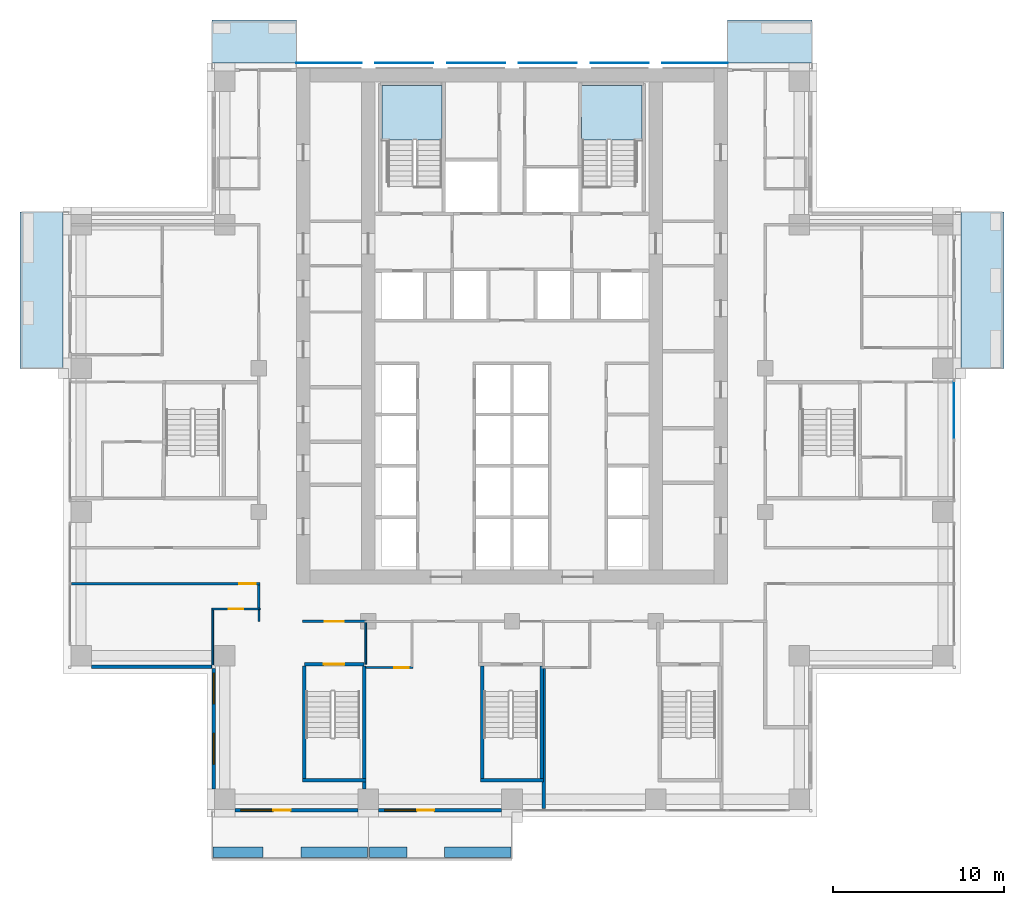
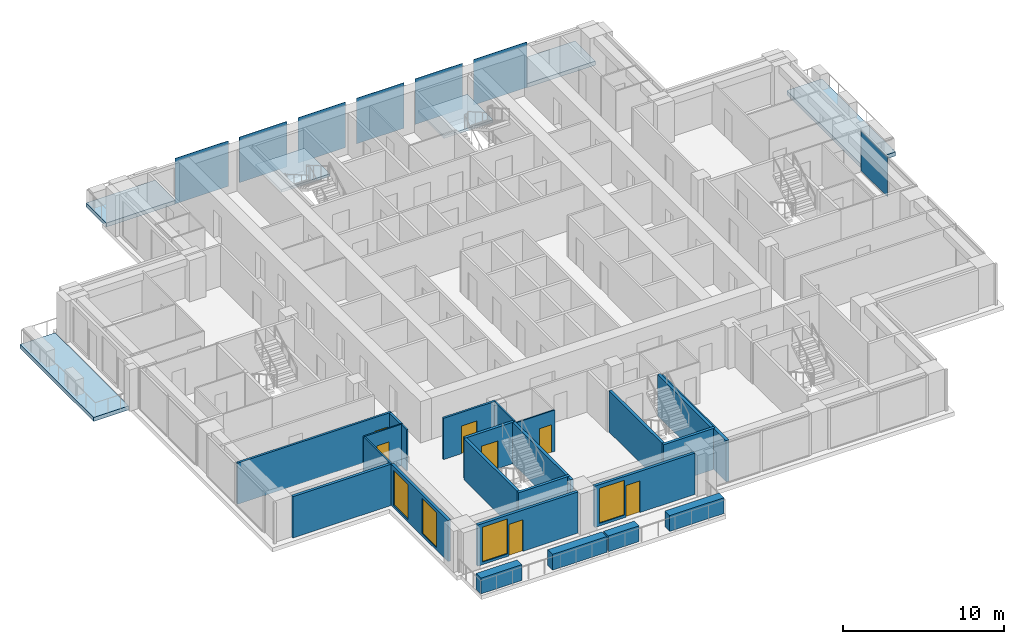
# One storey, part 6 of 16: 24 walls, 7 doors, 7 plates, 6 slabs, 4 windows, 11 openings, 3 elements without a shape of their own.
"""IFC4 building model written with IfcOpenShell, lengths in metres."""

from ifc_helpers import new_model, si_unit, direction, frame, frame_2d, origin, origin_2d, place, context, subcontext, project, spatial, polyline, rectangle, outline, extrude, material, layer, layer_set, type_object, element, fill, aggregate, save


model = new_model("IFC4")

# Units and contexts
model_context = context("Model", 3, precision=1e-05, world=origin(), true_north=direction((0.0, 1.0)))
body_context = subcontext(model_context, "Body", "Model", "MODEL_VIEW")
ifc_project = project(units=[si_unit("LENGTHUNIT", "METRE"), si_unit("AREAUNIT", "SQUARE_METRE"), si_unit("VOLUMEUNIT", "CUBIC_METRE"), si_unit("PLANEANGLEUNIT", "RADIAN"), si_unit("MASSUNIT", "GRAM", prefix="KILO")], contexts=[model_context])

# Site, building, storey
site_placement = place(None, origin())
site = spatial("IfcSite", under=ifc_project, at=site_placement, CompositionType="ELEMENT")
building_placement = place(site_placement, origin())
building = spatial("IfcBuilding", under=site, at=building_placement, Name="Vermilion Ogive Tower", CompositionType="ELEMENT")
storey_placement = place(building_placement, frame((0.0, 0.0, 114.89990234375)))
storey = spatial("IfcBuildingStorey", under=building, at=storey_placement, Name="L29", CompositionType="ELEMENT", Elevation=114.89990234375)

# Slabs
ifc_material_1 = material(Name="Concrete B40", Category="concrete")
ifc_layer_1 = layer(ifc_material_1, 0.300048828125)
ifc_layer_set_1 = layer_set([ifc_layer_1], Name="Balcony slab")
slab_type_1 = type_object("IfcSlabType", Name="Balcony slab", PredefinedType="FLOOR", material=ifc_layer_set_1)
slab_1_placement = place(storey_placement, frame((0.0, 0.0, -0.33984375)))
element("IfcSlab", 1, at=slab_1_placement, inside=storey, type_object=slab_type_1, Name="Balcony slab E03", PredefinedType="FLOOR", context=body_context, shape_type="SweptSolid", body=[
    extrude(outline(polyline([(28.77392578125, 4.199951171875), (28.77392578125, 13.35009765625), (26.25, 13.35009765625), (26.25, 4.199951171875), (28.77392578125, 4.199951171875)])), origin(), (0.0, 0.0, 1.0), 0.300048828125),
])
slab_2_placement = place(storey_placement, frame((0.0, 0.0, -0.33984375)))
element("IfcSlab", 2, at=slab_2_placement, inside=storey, type_object=slab_type_1, Name="Balcony slab N101", PredefinedType="FLOOR", context=body_context, shape_type="SweptSolid", body=[
    extrude(outline(polyline([(17.550048828125, 24.573974609375), (12.60009765625, 24.573974609375), (12.60009765625, 22.050048828125), (17.550048828125, 22.050048828125), (17.550048828125, 24.573974609375)])), origin(), (0.0, 0.0, 1.0), 0.300048828125),
])
slab_3_placement = place(storey_placement, frame((0.0, 0.0, -0.33984375)))
element("IfcSlab", 3, at=slab_3_placement, inside=storey, type_object=slab_type_1, Name="Balcony slab N201", PredefinedType="FLOOR", context=body_context, shape_type="SweptSolid", body=[
    extrude(outline(polyline([(-12.60009765625, 24.573974609375), (-17.550048828125, 24.573974609375), (-17.550048828125, 22.050048828125), (-12.60009765625, 22.050048828125), (-12.60009765625, 24.573974609375)])), origin(), (0.0, 0.0, 1.0), 0.300048828125),
])
slab_4_placement = place(storey_placement, frame((0.0, 0.0, -0.33984375)))
element("IfcSlab", 4, at=slab_4_placement, inside=storey, type_object=slab_type_1, Name="Balcony slab W01", PredefinedType="FLOOR", context=body_context, shape_type="SweptSolid", body=[
    extrude(outline(polyline([(-28.77392578125, 13.35009765625), (-28.77392578125, 4.199951171875), (-26.25, 4.199951171875), (-26.25, 13.35009765625), (-28.77392578125, 13.35009765625)])), origin(), (0.0, 0.0, 1.0), 0.300048828125),
])

# Curtain wall, plate
ifc_material_2 = material(Name="Low-iron laminated glazing in aluminium frame", Category="aluminium")
curtain_wall_type = type_object("IfcCurtainWallType", Name="Curtain wall CW7", PredefinedType="NOTDEFINED", material=ifc_material_2)
curtain_wall_placement = place(storey_placement, origin())
curtain_wall = element("IfcCurtainWall", 5, at=curtain_wall_placement, inside=storey, type_object=curtain_wall_type, Name="Glazed skin E2", PredefinedType="NOTDEFINED")
ifc_material_3 = material(Name="Low-iron laminated glazing in aluminium frame", Category="aluminium")
ifc_layer_2 = layer(ifc_material_3, 0.031982421875)
ifc_layer_set_2 = layer_set([ifc_layer_2], Name="CW7 glazing panel 32")
plate_type_1 = type_object("IfcPlateType", Name="CW7 glazing panel 32", PredefinedType="CURTAIN_PANEL", material=ifc_layer_set_2)
plate_1_placement = place(storey_placement, frame((25.85009765625, 1.7548828125, 0.06005859375), z_axis=(0.0, 0.0, 1.0), x_axis=(0.0, 1.0, 0.0)))
plate_1 = element("IfcPlate", 6, at=plate_1_placement, type_object=plate_type_1, Name="CW7-E2 panel 2.1", PredefinedType="CURTAIN_PANEL", context=body_context, shape_type="SweptSolid", body=[
    extrude(rectangle(XDim=3.330078125, YDim=0.031982421875, at=origin_2d()), origin(), (0.0, 0.0, 1.0), 3.010009765625),
])
aggregate(curtain_wall, [plate_1])

# Plates
ifc_material_4 = material(Name="Low-iron laminated glazing in aluminium frame", Category="aluminium")
ifc_layer_3 = layer(ifc_material_4, 0.031982421875)
ifc_layer_set_3 = layer_set([ifc_layer_3], Name="Glazed rainscreen sheet 32")
plate_type_2 = type_object("IfcPlateType", Name="Glazed rainscreen sheet 32", PredefinedType="SHEET", material=ifc_layer_set_3)
plate_2_placement = place(storey_placement, frame((-10.7099609375, 22.06591796875, -0.31982421875), z_axis=(0.0, 0.0, 1.0), x_axis=(1.0, 0.0, 0.0)))
element("IfcPlate", 7, at=plate_2_placement, inside=storey, type_object=plate_type_2, Name="Glazed rainscreen sheet N1", PredefinedType="SHEET", context=body_context, shape_type="SweptSolid", body=[
    extrude(rectangle(XDim=3.820068359375, YDim=0.031982421875, at=origin_2d()), origin(), (0.0, 0.0, 1.0), 3.449951171875),
])
for number, where, z_axis, x_axis, name in (
    (8, (-6.300048828125, 22.06591796875, -0.31982421875), (0.0, 0.0, 1.0), (1.0, 0.0, 0.0), "Glazed rainscreen sheet N2"),
    (9, (-2.10009765625, 22.06591796875, -0.31982421875), (0.0, 0.0, 1.0), (1.0, 0.0, 0.0), "Glazed rainscreen sheet N3"),
    (10, (2.10009765625, 22.06591796875, -0.31982421875), (0.0, 0.0, 1.0), (1.0, 0.0, 0.0), "Glazed rainscreen sheet N4"),
    (11, (6.300048828125, 22.06591796875, -0.31982421875), (0.0, 0.0, 1.0), (1.0, 0.0, 0.0), "Glazed rainscreen sheet N5"),
):
    element("IfcPlate", number, at=place(storey_placement, frame(where, z_axis=z_axis, x_axis=x_axis)), inside=storey, type_object=plate_type_2, Name=name, PredefinedType="SHEET", context=body_context, shape_type="SweptSolid", body=[
        extrude(rectangle(XDim=3.39990234375, YDim=0.031982421875, at=origin_2d()), origin(), (0.0, 0.0, 1.0), 3.449951171875),
    ])
plate_3_placement = place(storey_placement, frame((10.7099609375, 22.06591796875, -0.31982421875), z_axis=(0.0, 0.0, 1.0), x_axis=(1.0, 0.0, 0.0)))
element("IfcPlate", 12, at=plate_3_placement, inside=storey, type_object=plate_type_2, Name="Glazed rainscreen sheet N6", PredefinedType="SHEET", context=body_context, shape_type="SweptSolid", body=[
    extrude(rectangle(XDim=3.820068359375, YDim=0.031982421875, at=origin_2d()), origin(), (0.0, 0.0, 1.0), 3.449951171875),
])

# Stair, slab
ifc_material_5 = material(Name="Concrete B40", Category="concrete")
stair_type = type_object("IfcStairType", Name="Exit stair 1500", PredefinedType="HALF_TURN_STAIR", material=ifc_material_5)
stair_1_placement = place(storey_placement, origin())
stair_1 = element("IfcStair", 13, at=stair_1_placement, inside=storey, type_object=stair_type, Name="L29 Exit Stair ST1", PredefinedType="HALF_TURN_STAIR")
ifc_material_6 = material(Name="Concrete B40", Category="concrete")
ifc_layer_4 = layer(ifc_material_6, 0.199951171875)
ifc_layer_set_4 = layer_set([ifc_layer_4], Name="Stair landing 200")
slab_type_2 = type_object("IfcSlabType", Name="Stair landing 200", PredefinedType="LANDING", material=ifc_layer_set_4)
slab_5_placement = place(storey_placement, frame((0.0, 0.0, 1.525146484375)))
slab_5 = element("IfcSlab", 14, at=slab_5_placement, type_object=slab_type_2, Name="ST1 landing 1", PredefinedType="LANDING", context=body_context, shape_type="SweptSolid", body=[
    extrude(outline(polyline([(-7.60009765625, 17.550048828125), (-7.25, 17.550048828125), (-7.25, 17.548095703125), (-5.75, 17.548095703125), (-5.75, 17.550048828125), (-5.60009765625, 17.550048828125), (-5.60009765625, 17.548095703125), (-4.10009765625, 17.548095703125), (-4.10009765625, 20.75), (-7.60009765625, 20.75), (-7.60009765625, 17.550048828125)])), origin(), (0.0, 0.0, 1.0), 0.199951171875),
])
aggregate(stair_1, [slab_5])

stair_2_placement = place(storey_placement, origin())
stair_2 = element("IfcStair", 15, at=stair_2_placement, inside=storey, type_object=stair_type, Name="L29 Exit Stair ST2", PredefinedType="HALF_TURN_STAIR")
slab_6_placement = place(storey_placement, frame((0.0, 0.0, 1.525146484375)))
slab_6 = element("IfcSlab", 16, at=slab_6_placement, type_object=slab_type_2, Name="ST2 landing 1", PredefinedType="LANDING", context=body_context, shape_type="SweptSolid", body=[
    extrude(outline(polyline([(5.60009765625, 17.550048828125), (5.75, 17.550048828125), (5.75, 17.548095703125), (7.25, 17.548095703125), (7.25, 17.550048828125), (7.60009765625, 17.550048828125), (7.60009765625, 20.75), (4.074951171875, 20.75), (4.074951171875, 17.550048828125), (4.10009765625, 17.550048828125), (4.10009765625, 17.548095703125), (5.60009765625, 17.548095703125), (5.60009765625, 17.550048828125)])), origin(), (0.0, 0.0, 1.0), 0.199951171875),
])
aggregate(stair_2, [slab_6])

# Wall, opening, door
ifc_material_7 = material(Name="Gypsum board partition on steel studs", Category="steel")
ifc_layer_5 = layer(ifc_material_7, 0.10009765625)
ifc_layer_set_5 = layer_set([ifc_layer_5], Name="Partition 100 bath")
wall_type_1 = type_object("IfcWallType", Name="Partition 100 bath", PredefinedType="PARTITIONING", material=ifc_layer_set_5)
wall_1_placement = place(storey_placement, frame((-8.550048828125, -13.300048828125, 0.0), z_axis=(0.0, 0.0, 1.0), x_axis=(1.0, 0.0, 0.0)))
wall_1 = element("IfcWall", 17, at=wall_1_placement, inside=storey, type_object=wall_type_1, Name="L29-W-W004", PredefinedType="PARTITIONING", context=body_context, shape_type="SweptSolid", body=[
    extrude(rectangle(XDim=2.748046875, YDim=0.10009765625, at=frame_2d((1.3740234375, 0.0))), origin(), (0.0, 0.0, 1.0), 3.130126953125),
])
opening_1_placement = place(wall_1_placement, frame((1.650146484375, 0.0, 0.0)))
opening_1 = element("IfcOpeningElement", 18, at=opening_1_placement, cuts=wall_1, Name="Opening D2G5011", PredefinedType="OPENING", context=body_context, shape_type="SweptSolid", body=[
    extrude(rectangle(XDim=0.85009765625, YDim=2.10009765625, at=frame_2d((0.425048828125, 1.050048828125))), frame((0.0, 0.06005859375, 0.0), z_axis=(0.0, -1.0, 0.0), x_axis=(1.0, 0.0, 0.0)), (0.0, 0.0, 1.0), 0.1201171875),
])
ifc_material_8 = material(Name="Timber door leaf", Category="wood")
door_type_1 = type_object("IfcDoorType", Name="Bath door 850 x 2100 FD30", OperationType="SINGLE_SWING_LEFT", PredefinedType="DOOR", material=ifc_material_8)
door_1_placement = place(opening_1_placement, origin())
door_1 = element("IfcDoor", 19, at=door_1_placement, inside=storey, type_object=door_type_1, Name="L29-D-D011", OperationType="SINGLE_SWING_RIGHT", OverallHeight=2.10009765625, OverallWidth=0.85009765625, PredefinedType="DOOR", context=body_context, shape_type="SweptSolid", body=[
    extrude(rectangle(XDim=0.85009765625, YDim=2.10009765625, at=frame_2d((0.425048828125, 1.050048828125))), frame((0.0, 0.02490234375, 0.0), z_axis=(0.0, -1.0, 0.0), x_axis=(1.0, 0.0, 0.0)), (0.0, 0.0, 1.0), 0.050048828125),
])
fill(opening_1, door_1)

wall_2_placement = place(storey_placement, frame((-17.550048828125, -9.8701171875, 0.0), z_axis=(0.0, 0.0, 1.0), x_axis=(1.0, 0.0, 0.0)))
wall_2 = element("IfcWall", 20, at=wall_2_placement, inside=storey, type_object=wall_type_1, Name="L29-W-W014", PredefinedType="PARTITIONING", context=body_context, shape_type="SweptSolid", body=[
    extrude(rectangle(XDim=2.824951171875, YDim=0.10009765625, at=frame_2d((1.41259765625, 0.0))), origin(), (0.0, 0.0, 1.0), 3.130126953125),
])
opening_2_placement = place(wall_2_placement, frame((0.97509765625, 0.0, 0.0)))
opening_2 = element("IfcOpeningElement", 21, at=opening_2_placement, cuts=wall_2, Name="Opening D2G5002", PredefinedType="OPENING", context=body_context, shape_type="SweptSolid", body=[
    extrude(rectangle(XDim=0.85009765625, YDim=2.10009765625, at=frame_2d((0.425048828125, 1.050048828125))), frame((0.0, 0.06005859375, 0.0), z_axis=(0.0, -1.0, 0.0), x_axis=(1.0, 0.0, 0.0)), (0.0, 0.0, 1.0), 0.1201171875),
])
door_2_placement = place(opening_2_placement, origin())
door_2 = element("IfcDoor", 22, at=door_2_placement, inside=storey, type_object=door_type_1, Name="L29-D-D002", OperationType="SINGLE_SWING_RIGHT", OverallHeight=2.10009765625, OverallWidth=0.85009765625, PredefinedType="DOOR", context=body_context, shape_type="SweptSolid", body=[
    extrude(rectangle(XDim=0.85009765625, YDim=2.10009765625, at=frame_2d((0.425048828125, 1.050048828125))), frame((0.0, 0.02490234375, 0.0), z_axis=(0.0, -1.0, 0.0), x_axis=(1.0, 0.0, 0.0)), (0.0, 0.0, 1.0), 0.050048828125),
])
fill(opening_2, door_2)

# Walls
wall_3_placement = place(storey_placement, frame((-17.5, -13.35009765625, 0.0), z_axis=(0.0, 0.0, 1.0), x_axis=(0.0, 1.0, 0.0)))
element("IfcWall", 23, at=wall_3_placement, inside=storey, type_object=wall_type_1, Name="L29-W-W047", PredefinedType="PARTITIONING", context=body_context, shape_type="SweptSolid", body=[
    extrude(rectangle(XDim=3.43017578125, YDim=0.10009765625, at=frame_2d((1.715087890625, 0.0))), origin(), (0.0, 0.0, 1.0), 3.130126953125),
])
wall_4_placement = place(storey_placement, frame((-14.800048828125, -10.60009765625, 0.0), z_axis=(0.0, 0.0, 1.0), x_axis=(0.0, 1.0, 0.0)))
element("IfcWall", 24, at=wall_4_placement, inside=storey, type_object=wall_type_1, Name="L29-W-W050", PredefinedType="PARTITIONING", context=body_context, shape_type="SweptSolid", body=[
    extrude(rectangle(XDim=0.68017578125, YDim=0.10009765625, at=frame_2d((0.340087890625, 0.0))), origin(), (0.0, 0.0, 1.0), 3.130126953125),
])
wall_5_placement = place(storey_placement, frame((-8.550048828125, -13.10009765625, 0.0), z_axis=(0.0, 0.0, 1.0), x_axis=(0.0, 1.0, 0.0)))
element("IfcWall", 25, at=wall_5_placement, inside=storey, type_object=wall_type_1, Name="L29-W-W055", PredefinedType="PARTITIONING", context=body_context, shape_type="SweptSolid", body=[
    extrude(rectangle(XDim=2.425048828125, YDim=0.10009765625, at=frame_2d((1.21240234375, 0.0))), origin(), (0.0, 0.0, 1.0), 3.130126953125),
])

# Wall, opening, door
ifc_material_9 = material(Name="Gypsum board partition on steel studs", Category="steel")
ifc_layer_6 = layer(ifc_material_9, 0.14990234375)
ifc_layer_set_6 = layer_set([ifc_layer_6], Name="Partition 150 corridor")
wall_type_2 = type_object("IfcWallType", Name="Partition 150 corridor", PredefinedType="PARTITIONING", material=ifc_layer_set_6)
wall_6_placement = place(storey_placement, frame((-12.25, -10.60009765625, 0.0), z_axis=(0.0, 0.0, 1.0), x_axis=(1.0, 0.0, 0.0)))
wall_6 = element("IfcWall", 26, at=wall_6_placement, inside=storey, type_object=wall_type_2, Name="L29-W-W009", PredefinedType="PARTITIONING", context=body_context, shape_type="SweptSolid", body=[
    extrude(rectangle(XDim=3.75, YDim=0.14990234375, at=frame_2d((1.875, 0.0))), origin(), (0.0, 0.0, 1.0), 3.130126953125),
])
opening_3_placement = place(wall_6_placement, frame((1.300048828125, 0.0, 0.0)))
opening_3 = element("IfcOpeningElement", 27, at=opening_3_placement, cuts=wall_6, Name="Opening D2G5023", PredefinedType="OPENING", context=body_context, shape_type="SweptSolid", body=[
    extrude(rectangle(XDim=1.10009765625, YDim=2.10009765625, at=frame_2d((0.550048828125, 1.050048828125))), frame((0.0, 0.0849609375, 0.0), z_axis=(0.0, -1.0, 0.0), x_axis=(1.0, 0.0, 0.0)), (0.0, 0.0, 1.0), 0.169921875),
])
ifc_material_10 = material(Name="Timber door leaf", Category="wood")
door_type_2 = type_object("IfcDoorType", Name="Stair door 1100 x 2100 FD60S", OperationType="SINGLE_SWING_LEFT", PredefinedType="DOOR", material=ifc_material_10)
door_3_placement = place(opening_3_placement, origin())
door_3 = element("IfcDoor", 28, at=door_3_placement, inside=storey, type_object=door_type_2, Name="L29-D-D023", OperationType="SINGLE_SWING_RIGHT", OverallHeight=2.10009765625, OverallWidth=1.10009765625, PredefinedType="DOOR", context=body_context, shape_type="SweptSolid", body=[
    extrude(rectangle(XDim=1.10009765625, YDim=2.10009765625, at=frame_2d((0.550048828125, 1.050048828125))), frame((0.0, 0.02490234375, 0.0), z_axis=(0.0, -1.0, 0.0), x_axis=(1.0, 0.0, 0.0)), (0.0, 0.0, 1.0), 0.050048828125),
])
fill(opening_3, door_3)

wall_7_placement = place(storey_placement, frame((-25.75, -8.39990234375, 0.0), z_axis=(0.0, 0.0, 1.0), x_axis=(1.0, 0.0, 0.0)))
wall_7 = element("IfcWall", 29, at=wall_7_placement, inside=storey, type_object=wall_type_2, Name="L29-W-W015", PredefinedType="PARTITIONING", context=body_context, shape_type="SweptSolid", body=[
    extrude(rectangle(XDim=11.02490234375, YDim=0.14990234375, at=frame_2d((5.512451171875, 0.0))), origin(), (0.0, 0.0, 1.0), 3.130126953125),
])
opening_4_placement = place(wall_7_placement, frame((9.800048828125, 0.0, 0.0)))
opening_4 = element("IfcOpeningElement", 30, at=opening_4_placement, cuts=wall_7, Name="Opening D2G5001", PredefinedType="OPENING", context=body_context, shape_type="SweptSolid", body=[
    extrude(rectangle(XDim=0.949951171875, YDim=2.10009765625, at=frame_2d((0.47509765625, 1.050048828125))), frame((0.0, 0.0849609375, 0.0), z_axis=(0.0, -1.0, 0.0), x_axis=(1.0, 0.0, 0.0)), (0.0, 0.0, 1.0), 0.169921875),
])
ifc_material_11 = material(Name="Timber door leaf", Category="wood")
door_type_3 = type_object("IfcDoorType", Name="Unit door 950 x 2100 FD30S", OperationType="SINGLE_SWING_LEFT", PredefinedType="DOOR", material=ifc_material_11)
door_4_placement = place(opening_4_placement, origin())
door_4 = element("IfcDoor", 31, at=door_4_placement, inside=storey, type_object=door_type_3, Name="L29-D-D001", OperationType="SINGLE_SWING_RIGHT", OverallHeight=2.10009765625, OverallWidth=0.949951171875, PredefinedType="DOOR", context=body_context, shape_type="SweptSolid", body=[
    extrude(rectangle(XDim=0.949951171875, YDim=2.10009765625, at=frame_2d((0.47509765625, 1.050048828125))), frame((0.0, 0.02490234375, 0.0), z_axis=(0.0, -1.0, 0.0), x_axis=(1.0, 0.0, 0.0)), (0.0, 0.0, 1.0), 0.050048828125),
])
fill(opening_4, door_4)

# Walls
wall_8_placement = place(storey_placement, frame((-14.800048828125, -9.820068359375, 0.0), z_axis=(0.0, 0.0, 1.0), x_axis=(0.0, 1.0, 0.0)))
element("IfcWall", 32, at=wall_8_placement, inside=storey, type_object=wall_type_2, Name="L29-W-W051", PredefinedType="PARTITIONING", context=body_context, shape_type="SweptSolid", body=[
    extrude(rectangle(XDim=1.344970703125, YDim=0.14990234375, at=frame_2d((0.67236328125, 0.0))), origin(), (0.0, 0.0, 1.0), 3.130126953125),
])
ifc_material_12 = material(Name="Concrete B60", Category="concrete")
ifc_layer_7 = layer(ifc_material_12, 0.199951171875)
ifc_layer_set_7 = layer_set([ifc_layer_7], Name="Stair shaft wall 200 Concrete B60")
wall_type_3 = type_object("IfcWallType", Name="Stair shaft wall 200 Concrete B60", PredefinedType="SOLIDWALL", material=ifc_layer_set_7)
wall_9_placement = place(storey_placement, frame((-1.847900390625, -19.89990234375, 0.0), z_axis=(0.0, 0.0, 1.0), x_axis=(1.0, 0.0, 0.0)))
element("IfcWall", 33, at=wall_9_placement, inside=storey, type_object=wall_type_3, Name="L29-W-W001", PredefinedType="SOLIDWALL", context=body_context, shape_type="SweptSolid", body=[
    extrude(rectangle(XDim=3.69580078125, YDim=0.199951171875, at=frame_2d((1.847900390625, 0.0))), origin(), (0.0, 0.0, 1.0), 3.130126953125),
])

# Wall, opening, door
wall_10_placement = place(storey_placement, frame((-12.14990234375, -13.10009765625, 0.0), z_axis=(0.0, 0.0, 1.0), x_axis=(1.0, 0.0, 0.0)))
wall_10 = element("IfcWall", 34, at=wall_10_placement, inside=storey, type_object=wall_type_3, Name="L29-W-W006", PredefinedType="SOLIDWALL", context=body_context, shape_type="SweptSolid", body=[
    extrude(rectangle(XDim=3.5, YDim=0.199951171875, at=frame_2d((1.75, 0.0))), origin(), (0.0, 0.0, 1.0), 3.130126953125),
])
opening_5_placement = place(wall_10_placement, frame((1.14990234375, 0.0, 0.0)))
opening_5 = element("IfcOpeningElement", 35, at=opening_5_placement, cuts=wall_10, Name="Opening D2G5024", PredefinedType="OPENING", context=body_context, shape_type="SweptSolid", body=[
    extrude(rectangle(XDim=1.199951171875, YDim=2.10009765625, at=frame_2d((0.60009765625, 1.050048828125))), frame((0.0, 0.10986328125, 0.0), z_axis=(0.0, -1.0, 0.0), x_axis=(1.0, 0.0, 0.0)), (0.0, 0.0, 1.0), 0.219970703125),
])
ifc_material_13 = material(Name="Timber door leaf", Category="wood")
door_type_4 = type_object("IfcDoorType", Name="Stair door 1200 x 2100 FD60S", OperationType="SINGLE_SWING_LEFT", PredefinedType="DOOR", material=ifc_material_13)
door_5_placement = place(opening_5_placement, origin())
door_5 = element("IfcDoor", 36, at=door_5_placement, inside=storey, type_object=door_type_4, Name="L29-D-D024", OperationType="SINGLE_SWING_RIGHT", OverallHeight=2.10009765625, OverallWidth=1.199951171875, PredefinedType="DOOR", context=body_context, shape_type="SweptSolid", body=[
    extrude(rectangle(XDim=1.199951171875, YDim=2.10009765625, at=frame_2d((0.60009765625, 1.050048828125))), frame((0.0, 0.02490234375, 0.0), z_axis=(0.0, -1.0, 0.0), x_axis=(1.0, 0.0, 0.0)), (0.0, 0.0, 1.0), 0.050048828125),
])
fill(opening_5, door_5)

# Walls
for number, where, z_axis, x_axis, name in (
    (37, (-1.75, -19.798095703125, 0.0), (0.0, 0.0, 1.0), (0.0, 1.0, 0.0), "L29-W-W058"),
    (38, (1.75, -19.798095703125, 0.0), (0.0, 0.0, 1.0), (0.0, 1.0, 0.0), "L29-W-W059"),
):
    element("IfcWall", number, at=place(storey_placement, frame(where, z_axis=z_axis, x_axis=x_axis)), inside=storey, type_object=wall_type_3, Name=name, PredefinedType="SOLIDWALL", context=body_context, shape_type="SweptSolid", body=[
        extrude(rectangle(XDim=6.59619140625, YDim=0.199951171875, at=frame_2d((3.298095703125, 0.0))), origin(), (0.0, 0.0, 1.0), 3.130126953125),
    ])
wall_11_placement = place(storey_placement, frame((-12.25, -19.89990234375, 0.0), z_axis=(0.0, 0.0, 1.0), x_axis=(1.0, 0.0, 0.0)))
element("IfcWall", 39, at=wall_11_placement, inside=storey, type_object=wall_type_3, Name="L29-SW-ST3-S1", PredefinedType="SOLIDWALL", context=body_context, shape_type="SweptSolid", body=[
    extrude(rectangle(XDim=3.699951171875, YDim=0.199951171875, at=frame_2d((1.85009765625, 0.0))), origin(), (0.0, 0.0, 1.0), 3.130126953125),
])
wall_12_placement = place(storey_placement, frame((-12.14990234375, -19.800048828125, 0.0), z_axis=(0.0, 0.0, 1.0), x_axis=(0.0, 1.0, 0.0)))
element("IfcWall", 40, at=wall_12_placement, inside=storey, type_object=wall_type_3, Name="L29-SW-ST3-W1", PredefinedType="SOLIDWALL", context=body_context, shape_type="SweptSolid", body=[
    extrude(rectangle(XDim=6.60009765625, YDim=0.199951171875, at=frame_2d((3.300048828125, 0.0))), origin(), (0.0, 0.0, 1.0), 3.130126953125),
])
wall_13_placement = place(storey_placement, frame((1.85009765625, -21.550048828125, 0.0), z_axis=(0.0, 0.0, 1.0), x_axis=(0.0, 1.0, 0.0)))
element("IfcWall", 41, at=wall_13_placement, inside=storey, type_object=wall_type_3, Name="L29-W-W060-A", PredefinedType="SOLIDWALL", context=body_context, shape_type="SweptSolid", body=[
    extrude(rectangle(XDim=8.199951171875, YDim=0.199951171875, at=frame_2d((4.10009765625, 0.0))), origin(), (0.0, 0.0, 1.0), 3.130126953125),
])
wall_14_placement = place(storey_placement, frame((-8.64990234375, -20.39990234375, 0.0), z_axis=(0.0, 0.0, 1.0), x_axis=(0.0, 1.0, 0.0)))
element("IfcWall", 42, at=wall_14_placement, inside=storey, type_object=wall_type_3, Name="L29-SW-ST3-E1-A", PredefinedType="SOLIDWALL", context=body_context, shape_type="SweptSolid", body=[
    extrude(rectangle(XDim=7.197998046875, YDim=0.199951171875, at=frame_2d((3.59912109375, 0.0))), origin(), (0.0, 0.0, 1.0), 3.130126953125),
])
ifc_material_14 = material(Name="Concrete B40", Category="concrete")
ifc_layer_8 = layer(ifc_material_14, 0.60009765625)
ifc_layer_set_8 = layer_set([ifc_layer_8], Name="Structural planter")
wall_type_4 = type_object("IfcWallType", Name="Structural planter", PredefinedType="USERDEFINED", material=ifc_layer_set_8)
wall_15_placement = place(storey_placement, frame((-17.489990234375, -24.093994140625, -0.039794921875), z_axis=(0.0, 0.0, 1.0), x_axis=(1.0, 0.0, 0.0)))
element("IfcWall", 43, at=wall_15_placement, inside=storey, type_object=wall_type_4, Name="Planter S01A1", ObjectType="PLANTER", PredefinedType="USERDEFINED", context=body_context, shape_type="SweptSolid", body=[
    extrude(rectangle(XDim=2.93994140625, YDim=0.60009765625, at=frame_2d((1.469970703125, 0.0))), origin(), (0.0, 0.0, 1.0), 1.199951171875),
])
wall_16_placement = place(storey_placement, frame((-12.35009765625, -24.093994140625, -0.039794921875), z_axis=(0.0, 0.0, 1.0), x_axis=(1.0, 0.0, 0.0)))
element("IfcWall", 44, at=wall_16_placement, inside=storey, type_object=wall_type_4, Name="Planter S01A2", ObjectType="PLANTER", PredefinedType="USERDEFINED", context=body_context, shape_type="SweptSolid", body=[
    extrude(rectangle(XDim=3.89013671875, YDim=0.60009765625, at=frame_2d((1.945068359375, 0.0))), origin(), (0.0, 0.0, 1.0), 1.199951171875),
])
wall_17_placement = place(storey_placement, frame((-8.340087890625, -24.093994140625, -0.039794921875), z_axis=(0.0, 0.0, 1.0), x_axis=(1.0, 0.0, 0.0)))
element("IfcWall", 45, at=wall_17_placement, inside=storey, type_object=wall_type_4, Name="Planter S02A1", ObjectType="PLANTER", PredefinedType="USERDEFINED", context=body_context, shape_type="SweptSolid", body=[
    extrude(rectangle(XDim=2.190185546875, YDim=0.60009765625, at=frame_2d((1.09521484375, 0.0))), origin(), (0.0, 0.0, 1.0), 1.199951171875),
])
wall_18_placement = place(storey_placement, frame((-3.949951171875, -24.093994140625, -0.039794921875), z_axis=(0.0, 0.0, 1.0), x_axis=(1.0, 0.0, 0.0)))
element("IfcWall", 46, at=wall_18_placement, inside=storey, type_object=wall_type_4, Name="Planter S02A2", ObjectType="PLANTER", PredefinedType="USERDEFINED", context=body_context, shape_type="SweptSolid", body=[
    extrude(rectangle(XDim=3.889892578125, YDim=0.60009765625, at=frame_2d((1.94482421875, 0.0))), origin(), (0.0, 0.0, 1.0), 1.199951171875),
])

# Wall, openings, door, window
ifc_material_15 = material(Name="Aluminium window wall framing", Category="aluminium")
ifc_layer_9 = layer(ifc_material_15, 0.199951171875)
ifc_layer_set_9 = layer_set([ifc_layer_9], Name="Window wall")
wall_type_5 = type_object("IfcWallType", Name="Window wall", PredefinedType="STANDARD", material=ifc_layer_set_9)
wall_19_placement = place(storey_placement, frame((-16.199951171875, -21.64990234375, 0.0), z_axis=(0.0, 0.0, 1.0), x_axis=(1.0, 0.0, 0.0)))
wall_19 = element("IfcWall", 47, at=wall_19_placement, inside=storey, type_object=wall_type_5, Name="Window wall S1", PredefinedType="STANDARD", context=body_context, shape_type="SweptSolid", body=[
    extrude(rectangle(XDim=7.199951171875, YDim=0.199951171875, at=frame_2d((3.60009765625, 0.0))), origin(), (0.0, 0.0, 1.0), 3.130126953125),
])
opening_6_placement = place(wall_19_placement, frame((0.35009765625, 0.0, 0.199951171875)))
opening_6 = element("IfcOpeningElement", 48, at=opening_6_placement, cuts=wall_19, Name="Opening W1-S96", PredefinedType="OPENING", context=body_context, shape_type="SweptSolid", body=[
    extrude(rectangle(XDim=1.800048828125, YDim=2.64990234375, at=frame_2d((0.89990234375, 1.324951171875))), frame((0.0, 0.10986328125, 0.0), z_axis=(0.0, -1.0, 0.0), x_axis=(1.0, 0.0, 0.0)), (0.0, 0.0, 1.0), 0.219970703125),
])
opening_7_placement = place(wall_19_placement, frame((2.25, 0.0, 0.0)))
opening_7 = element("IfcOpeningElement", 49, at=opening_7_placement, cuts=wall_19, Name="Opening D1-S96", PredefinedType="OPENING", context=body_context, shape_type="SweptSolid", body=[
    extrude(rectangle(XDim=1.0, YDim=2.39990234375, at=frame_2d((0.5, 1.199951171875))), frame((0.0, 0.10986328125, 0.0), z_axis=(0.0, -1.0, 0.0), x_axis=(1.0, 0.0, 0.0)), (0.0, 0.0, 1.0), 0.219970703125),
])
ifc_material_16 = material(Name="Aluminium framed glazed door", Category="aluminium")
door_type_5 = type_object("IfcDoorType", Name="Balcony door D1", OperationType="SINGLE_SWING_LEFT", PredefinedType="DOOR", material=ifc_material_16)
door_6_placement = place(opening_7_placement, origin())
door_6 = element("IfcDoor", 50, at=door_6_placement, inside=storey, type_object=door_type_5, Name="Balcony door S96", OperationType="SINGLE_SWING_LEFT", OverallHeight=2.39990234375, OverallWidth=1.0, PredefinedType="DOOR", context=body_context, shape_type="SweptSolid", body=[
    extrude(rectangle(XDim=1.0, YDim=2.39990234375, at=frame_2d((0.5, 1.199951171875))), frame((0.0, 0.02490234375, 0.0), z_axis=(0.0, -1.0, 0.0), x_axis=(1.0, 0.0, 0.0)), (0.0, 0.0, 1.0), 0.050048828125),
])
fill(opening_7, door_6)
ifc_material_17 = material(Name="Aluminium framed double glazing", Category="aluminium")
window_type = type_object("IfcWindowType", Name="Guest window W1", PartitioningType="SINGLE_PANEL", PredefinedType="WINDOW", material=ifc_material_17)
window_1_placement = place(opening_6_placement, origin())
window_1 = element("IfcWindow", 51, at=window_1_placement, inside=storey, type_object=window_type, Name="Window S96", OverallHeight=2.64990234375, OverallWidth=1.800048828125, PartitioningType="SINGLE_PANEL", PredefinedType="WINDOW", context=body_context, shape_type="SweptSolid", body=[
    extrude(rectangle(XDim=1.800048828125, YDim=2.64990234375, at=frame_2d((0.89990234375, 1.324951171875))), frame((0.0, 0.030029296875, 0.0), z_axis=(0.0, -1.0, 0.0), x_axis=(1.0, 0.0, 0.0)), (0.0, 0.0, 1.0), 0.06005859375),
])
fill(opening_6, window_1)

wall_20_placement = place(storey_placement, frame((-7.800048828125, -21.64990234375, 0.0), z_axis=(0.0, 0.0, 1.0), x_axis=(1.0, 0.0, 0.0)))
wall_20 = element("IfcWall", 52, at=wall_20_placement, inside=storey, type_object=wall_type_5, Name="Window wall S2", PredefinedType="STANDARD", context=body_context, shape_type="SweptSolid", body=[
    extrude(rectangle(XDim=7.199951171875, YDim=0.199951171875, at=frame_2d((3.60009765625, 0.0))), origin(), (0.0, 0.0, 1.0), 3.130126953125),
])
opening_8_placement = place(wall_20_placement, frame((0.35009765625, 0.0, 0.199951171875)))
opening_8 = element("IfcOpeningElement", 53, at=opening_8_placement, cuts=wall_20, Name="Opening W1-S98", PredefinedType="OPENING", context=body_context, shape_type="SweptSolid", body=[
    extrude(rectangle(XDim=1.800048828125, YDim=2.64990234375, at=frame_2d((0.89990234375, 1.324951171875))), frame((0.0, 0.10986328125, 0.0), z_axis=(0.0, -1.0, 0.0), x_axis=(1.0, 0.0, 0.0)), (0.0, 0.0, 1.0), 0.219970703125),
])
opening_9_placement = place(wall_20_placement, frame((2.25, 0.0, 0.0)))
opening_9 = element("IfcOpeningElement", 54, at=opening_9_placement, cuts=wall_20, Name="Opening D1-S98", PredefinedType="OPENING", context=body_context, shape_type="SweptSolid", body=[
    extrude(rectangle(XDim=1.0, YDim=2.39990234375, at=frame_2d((0.5, 1.199951171875))), frame((0.0, 0.10986328125, 0.0), z_axis=(0.0, -1.0, 0.0), x_axis=(1.0, 0.0, 0.0)), (0.0, 0.0, 1.0), 0.219970703125),
])
door_7_placement = place(opening_9_placement, origin())
door_7 = element("IfcDoor", 55, at=door_7_placement, inside=storey, type_object=door_type_5, Name="Balcony door S98", OperationType="SINGLE_SWING_LEFT", OverallHeight=2.39990234375, OverallWidth=1.0, PredefinedType="DOOR", context=body_context, shape_type="SweptSolid", body=[
    extrude(rectangle(XDim=1.0, YDim=2.39990234375, at=frame_2d((0.5, 1.199951171875))), frame((0.0, 0.02490234375, 0.0), z_axis=(0.0, -1.0, 0.0), x_axis=(1.0, 0.0, 0.0)), (0.0, 0.0, 1.0), 0.050048828125),
])
fill(opening_9, door_7)
window_2_placement = place(opening_8_placement, origin())
window_2 = element("IfcWindow", 56, at=window_2_placement, inside=storey, type_object=window_type, Name="Window S98", OverallHeight=2.64990234375, OverallWidth=1.800048828125, PartitioningType="SINGLE_PANEL", PredefinedType="WINDOW", context=body_context, shape_type="SweptSolid", body=[
    extrude(rectangle(XDim=1.800048828125, YDim=2.64990234375, at=frame_2d((0.89990234375, 1.324951171875))), frame((0.0, 0.030029296875, 0.0), z_axis=(0.0, -1.0, 0.0), x_axis=(1.0, 0.0, 0.0)), (0.0, 0.0, 1.0), 0.06005859375),
])
fill(opening_8, window_2)

# Wall
wall_21_placement = place(storey_placement, frame((-24.60009765625, -13.25, 0.0), z_axis=(0.0, 0.0, 1.0), x_axis=(1.0, 0.0, 0.0)))
element("IfcWall", 57, at=wall_21_placement, inside=storey, type_object=wall_type_5, Name="Window wall X71", PredefinedType="STANDARD", context=body_context, shape_type="SweptSolid", body=[
    extrude(rectangle(XDim=7.050048828125, YDim=0.199951171875, at=frame_2d((3.52490234375, 0.0))), origin(), (0.0, 0.0, 1.0), 3.130126953125),
])

# Wall, openings, windows
wall_22_placement = place(storey_placement, frame((-17.449951171875, -13.35009765625, 0.0), z_axis=(0.0, 0.0, 1.0), x_axis=(0.0, -1.0, 0.0)))
wall_22 = element("IfcWall", 58, at=wall_22_placement, inside=storey, type_object=wall_type_5, Name="Window wall X81", PredefinedType="STANDARD", context=body_context, shape_type="SweptSolid", body=[
    extrude(rectangle(XDim=7.0498046875, YDim=0.199951171875, at=frame_2d((3.52490234375, 0.0))), origin(), (0.0, 0.0, 1.0), 3.130126953125),
])
opening_10_placement = place(wall_22_placement, frame((3.800048828125, 0.0, 0.199951171875)))
opening_10 = element("IfcOpeningElement", 59, at=opening_10_placement, cuts=wall_22, Name="Opening W1-X895", PredefinedType="OPENING", context=body_context, shape_type="SweptSolid", body=[
    extrude(rectangle(XDim=1.800048828125, YDim=2.64990234375, at=frame_2d((0.89990234375, 1.324951171875))), frame((0.0, 0.10986328125, 0.0), z_axis=(0.0, -1.0, 0.0), x_axis=(1.0, 0.0, 0.0)), (0.0, 0.0, 1.0), 0.219970703125),
])
opening_11_placement = place(wall_22_placement, frame((0.27490234375, 0.0, 0.199951171875)))
opening_11 = element("IfcOpeningElement", 60, at=opening_11_placement, cuts=wall_22, Name="Opening W1-X896", PredefinedType="OPENING", context=body_context, shape_type="SweptSolid", body=[
    extrude(rectangle(XDim=1.800048828125, YDim=2.64990234375, at=frame_2d((0.89990234375, 1.324951171875))), frame((0.0, 0.10986328125, 0.0), z_axis=(0.0, -1.0, 0.0), x_axis=(1.0, 0.0, 0.0)), (0.0, 0.0, 1.0), 0.219970703125),
])
window_3_placement = place(opening_10_placement, origin())
window_3 = element("IfcWindow", 61, at=window_3_placement, inside=storey, type_object=window_type, Name="Window X895", OverallHeight=2.64990234375, OverallWidth=1.800048828125, PartitioningType="SINGLE_PANEL", PredefinedType="WINDOW", context=body_context, shape_type="SweptSolid", body=[
    extrude(rectangle(XDim=1.800048828125, YDim=2.64990234375, at=frame_2d((0.89990234375, 1.324951171875))), frame((0.0, 0.030029296875, 0.0), z_axis=(0.0, -1.0, 0.0), x_axis=(1.0, 0.0, 0.0)), (0.0, 0.0, 1.0), 0.06005859375),
])
fill(opening_10, window_3)
window_4_placement = place(opening_11_placement, origin())
window_4 = element("IfcWindow", 62, at=window_4_placement, inside=storey, type_object=window_type, Name="Window X896", OverallHeight=2.64990234375, OverallWidth=1.800048828125, PartitioningType="SINGLE_PANEL", PredefinedType="WINDOW", context=body_context, shape_type="SweptSolid", body=[
    extrude(rectangle(XDim=1.800048828125, YDim=2.64990234375, at=frame_2d((0.89990234375, 1.324951171875))), frame((0.0, 0.030029296875, 0.0), z_axis=(0.0, -1.0, 0.0), x_axis=(1.0, 0.0, 0.0)), (0.0, 0.0, 1.0), 0.06005859375),
])
fill(opening_11, window_4)

save(model, "model.ifc")
